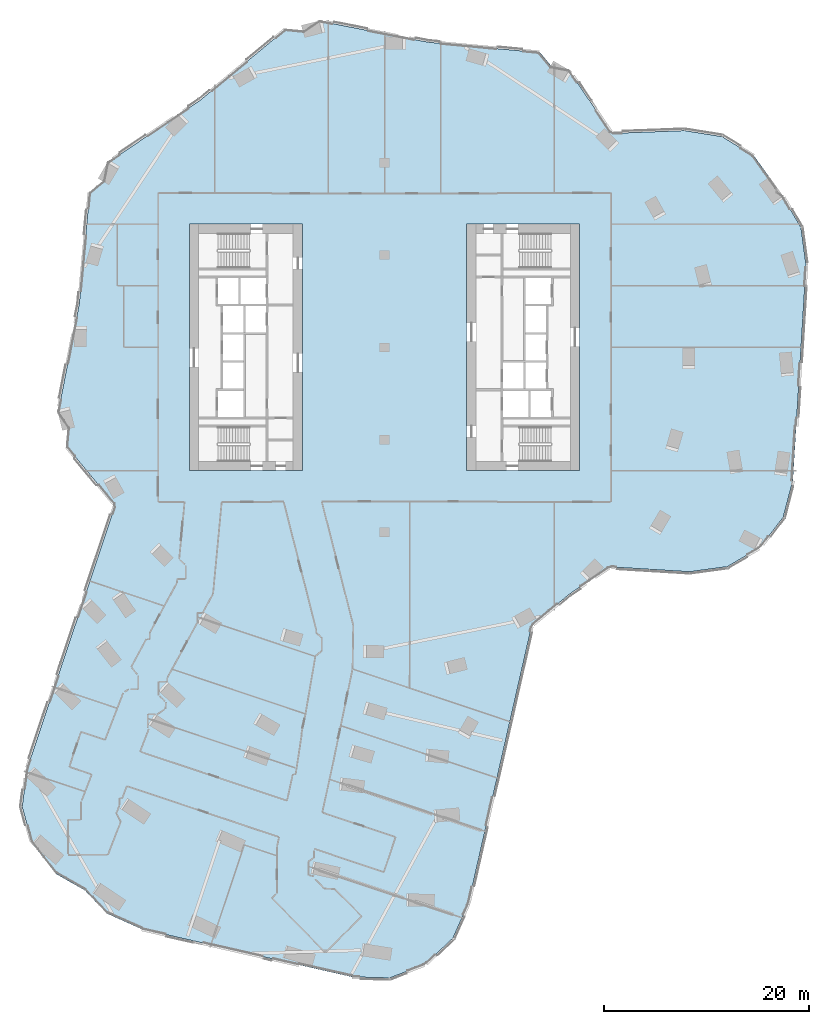
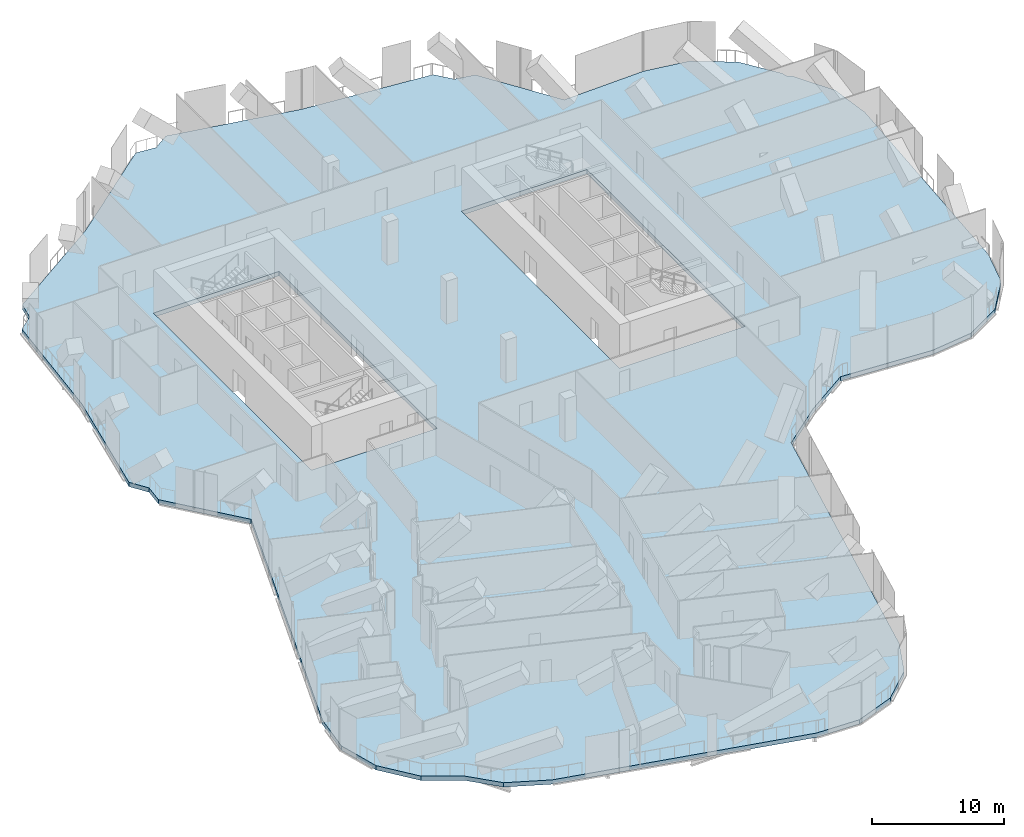
# One storey, part 15 of 28: 1 slab.
"""IFC4 building model written with IfcOpenShell, lengths in metres."""

from ifc_helpers import new_model, si_unit, direction, frame, origin, place, context, subcontext, project, spatial, polyline, outline, extrude, material, layer, layer_set, type_object, element, save


model = new_model("IFC4")

# Units and contexts
model_context = context("Model", 3, precision=1e-05, world=origin(), true_north=direction((0.0, 1.0)))
body_context = subcontext(model_context, "Body", "Model", "MODEL_VIEW")
ifc_project = project(units=[si_unit("LENGTHUNIT", "METRE"), si_unit("AREAUNIT", "SQUARE_METRE"), si_unit("VOLUMEUNIT", "CUBIC_METRE"), si_unit("PLANEANGLEUNIT", "RADIAN"), si_unit("MASSUNIT", "GRAM", prefix="KILO")], contexts=[model_context])

# Site, building, storey
site_placement = place(None, origin())
site = spatial("IfcSite", under=ifc_project, at=site_placement, CompositionType="ELEMENT")
building_placement = place(site_placement, origin())
building = spatial("IfcBuilding", under=site, at=building_placement, Name="Orlundy Tower", CompositionType="ELEMENT")
storey_placement = place(building_placement, frame((0.0, 0.0, 163.10009765625)))
storey = spatial("IfcBuildingStorey", under=building, at=storey_placement, Name="L42", CompositionType="ELEMENT", Elevation=163.10009765625)

# Slab
ifc_material = material(Name="Concrete C45/55", Category="concrete")
ifc_layer = layer(ifc_material, 0.39990234375)
ifc_layer_set = layer_set([ifc_layer], Name="JUNCTION FLOOR SLAB 400 C45/55")
slab_type = type_object("IfcSlabType", Name="JUNCTION FLOOR SLAB 400 C45/55", PredefinedType="FLOOR", material=ifc_layer_set)
slab_placement = place(storey_placement, frame((0.0, 0.0, -0.400146484375)))
element("IfcSlab", 1, at=slab_placement, inside=storey, type_object=slab_type, Name="Floor slab L42", PredefinedType="FLOOR", context=body_context, shape_type="SweptSolid", body=[
    extrude(outline(polyline([(-30.866943359375, -7.886962890625), (-31.820068359375, -6.47412109375), (-29.73193359375, 4.26904296875), (-28.715087890625, 15.160888671875), (-27.403076171875, 16.2490234375), (-27.077880859375, 17.922119140625), (-18.0048828125, 24.0419921875), (-9.583984375, 31.02490234375), (-7.886962890625, 30.866943359375), (-6.47412109375, 31.820068359375), (4.26904296875, 29.73193359375), (15.160888671875, 28.715087890625), (16.2490234375, 27.403076171875), (17.922119140625, 27.077880859375), (22.1220703125, 20.85107421875), (29.221923828125, 21.1201171875), (32.883056640625, 20.534912109375), (36.0400390625, 18.593017578125), (38.215087890625, 15.591064453125), (38.31396484375, 15.175048828125), (38.697998046875, 14.883056640625), (40.56591796875, 11.680908203125), (41.06494140625, 8.008056640625), (39.782958984375, -12.952880859375), (38.840087890625, -16.537109375), (36.595947265625, -19.488037109375), (33.39404296875, -21.35498046875), (29.720947265625, -21.85498046875), (21.951904296875, -21.3798828125), (18.0048828125, -24.0419921875), (14.343994140625, -27.077880859375), (8.173095703125, -54.16796875), (6.659912109375, -57.552001953125), (3.967041015625, -60.10009765625), (0.5048828125, -61.423095703125), (-3.199951171875, -61.321044921875), (-23.676025390625, -56.656982421875), (-27.06005859375, -55.14404296875), (-29.18896484375, -52.89208984375), (-32.054931640625, -51.25390625), (-34.324951171875, -48.322998046875), (-35.299072265625, -44.7470703125), (-34.83203125, -41.070068359375), (-26.23095703125, -15.364990234375), (-31.02490234375, -9.583984375), (-30.866943359375, -7.886962890625)]), holes=[polyline([(-8.0, -12.0), (-8.0, 12.0), (-19.0, 12.0), (-19.0, -12.0), (-8.0, -12.0)]), polyline([(19.0, -12.0), (19.0, 12.0), (8.0, 12.0), (8.0, -12.0), (19.0, -12.0)])]), origin(), (0.0, 0.0, 1.0), 0.400146484375),
])

save(model, "model.ifc")
